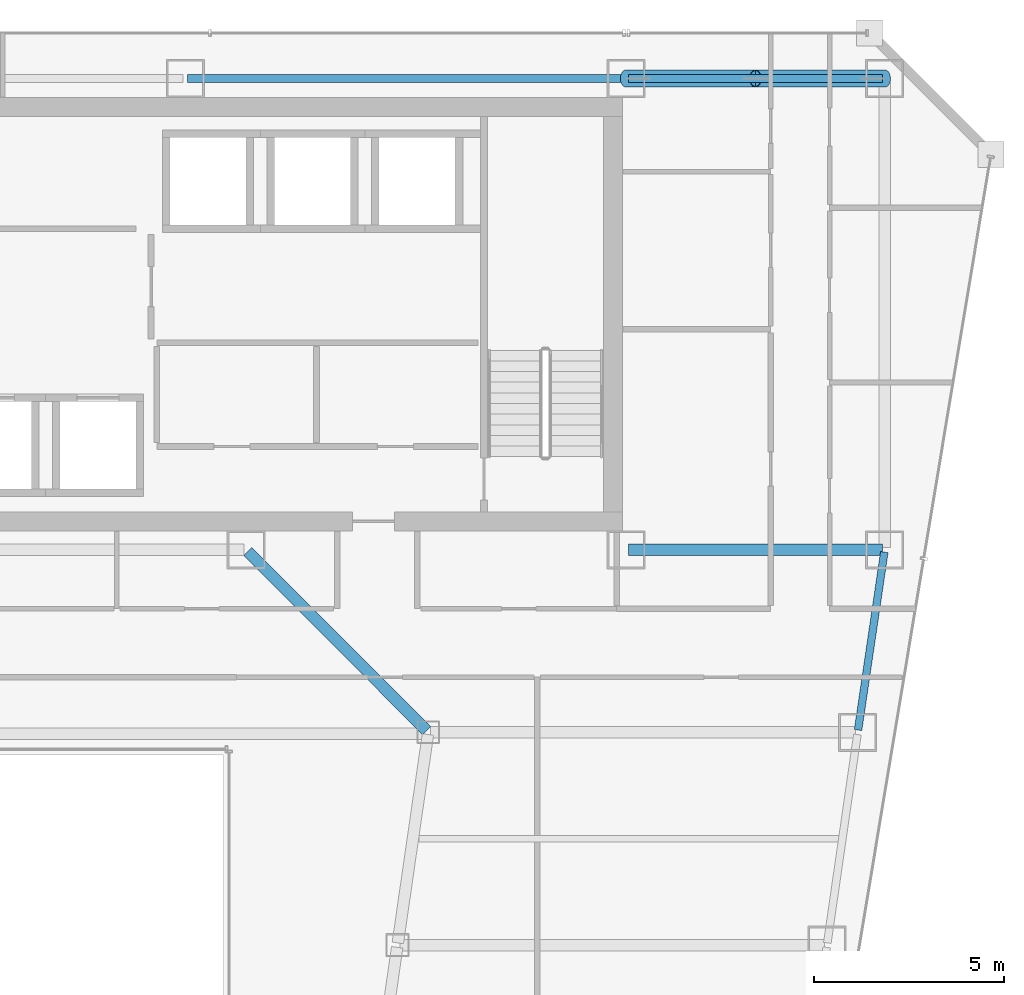
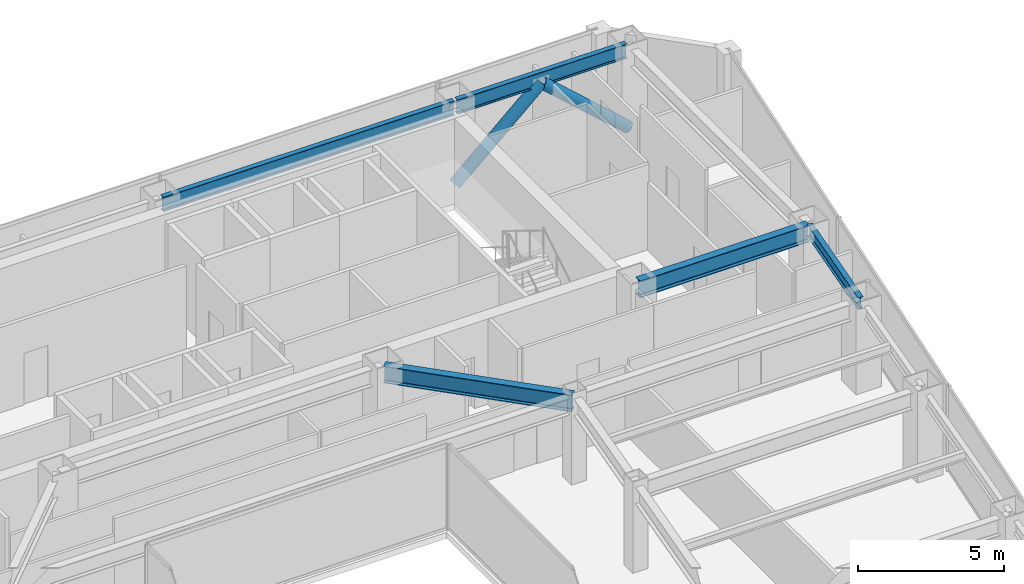
# One storey, part 25 of 37: 5 beams, 2 members.
"""IFC4 building model written with IfcOpenShell, lengths in metres."""

from ifc_helpers import new_model, si_unit, direction, frame, origin, origin_2d, place, context, subcontext, project, spatial, hollow_circle, i_section, extrude, material, material_profile, profile_set, type_object, element, save


model = new_model("IFC4")

# Units and contexts
model_context = context("Model", 3, precision=1e-05, world=origin(), true_north=direction((0.0, 1.0)))
body_context = subcontext(model_context, "Body", "Model", "MODEL_VIEW")
ifc_project = project(units=[si_unit("LENGTHUNIT", "METRE"), si_unit("AREAUNIT", "SQUARE_METRE"), si_unit("VOLUMEUNIT", "CUBIC_METRE"), si_unit("PLANEANGLEUNIT", "RADIAN"), si_unit("MASSUNIT", "GRAM", prefix="KILO")], contexts=[model_context])

# Site, building, storey
site_placement = place(None, origin())
site = spatial("IfcSite", under=ifc_project, at=site_placement, CompositionType="ELEMENT")
building_placement = place(site_placement, origin())
building = spatial("IfcBuilding", under=site, at=building_placement, Name="Saevonmaru Cultural Tower", CompositionType="ELEMENT")
storey_placement = place(building_placement, frame((0.0, 0.0, 160.0)))
storey = spatial("IfcBuildingStorey", under=building, at=storey_placement, Name="L35", CompositionType="ELEMENT", Elevation=160.0)

# Beams
ifc_material_1 = material(Name="Steel SM355", Category="steel")
ifc_material_profile_1 = material_profile(ifc_material_1, i_section(OverallWidth=0.300048828125, OverallDepth=0.699951171875, WebThickness=0.012939453125, FlangeThickness=0.02392578125, FilletRadius=0.02587890625, at=origin_2d()), Name="H-700x300x13x24")
ifc_profile_set_1 = profile_set([ifc_material_profile_1], Name="Steel SM355")
beam_type_1 = type_object("IfcBeamType", Name="BM-G-H700", PredefinedType="BEAM", material=ifc_profile_set_1)
beam_1_placement = place(storey_placement, frame((46.4599609375, 42.39990234375, 3.199951171875), z_axis=(1.0, 0.0, 0.0), x_axis=(0.0, 1.0, 0.0)))
element("IfcBeam", 1, at=beam_1_placement, inside=storey, type_object=beam_type_1, Name="L35 Core South Girder 5", PredefinedType="BEAM", context=body_context, shape_type="SweptSolid", body=[
    extrude(i_section(OverallWidth=0.300048828125, OverallDepth=0.699951171875, WebThickness=0.012939453125, FlangeThickness=0.02392578125, FilletRadius=0.02587890625, at=origin_2d()), origin(), (0.0, 0.0, 1.0), 6.679931640625),
])
beam_2_placement = place(storey_placement, frame((41.149658203125, 37.642578125, 3.199951171875), z_axis=(-0.706538566564, 0.707674539572, 0.0), x_axis=(-0.707674539572, -0.706538566564, 0.0)))
element("IfcBeam", 2, at=beam_2_placement, inside=storey, type_object=beam_type_1, Name="L35 East Atrium Girder 5", PredefinedType="BEAM", context=body_context, shape_type="SweptSolid", body=[
    extrude(i_section(OverallWidth=0.300048828125, OverallDepth=0.699951171875, WebThickness=0.012939453125, FlangeThickness=0.02392578125, FilletRadius=0.02587890625, at=origin_2d()), origin(), (0.0, 0.0, 1.0), 6.662353515625),
])
ifc_material_profile_2 = material_profile(ifc_material_1, i_section(OverallWidth=0.199951171875, OverallDepth=0.5, WebThickness=0.010009765625, FlangeThickness=0.01611328125, FilletRadius=0.02001953125, at=origin_2d()), Name="H-500x200x10x16")
ifc_profile_set_2 = profile_set([ifc_material_profile_2], Name="Steel SM355")
beam_type_2 = type_object("IfcBeamType", Name="BM-SP-H500", PredefinedType="SPANDREL", material=ifc_profile_set_2)
beam_3_placement = place(storey_placement, frame((52.500732421875, 37.659423828125, 3.300048828125), z_axis=(0.145912860028, 0.989297446312, 0.0), x_axis=(-0.989297446312, 0.145912860028, 0.0)))
element("IfcBeam", 3, at=beam_3_placement, inside=storey, type_object=beam_type_2, Name="L35 East Splayed Spandrel 5", PredefinedType="SPANDREL", context=body_context, shape_type="SweptSolid", body=[
    extrude(i_section(OverallWidth=0.199951171875, OverallDepth=0.5, WebThickness=0.010009765625, FlangeThickness=0.01611328125, FilletRadius=0.02001953125, at=origin_2d()), origin(), (0.0, 0.0, 1.0), 4.731689453125),
])
ifc_material_profile_3 = material_profile(ifc_material_1, i_section(OverallWidth=0.199951171875, OverallDepth=0.60009765625, WebThickness=0.010986328125, FlangeThickness=0.01708984375, FilletRadius=0.02197265625, at=origin_2d()), Name="H-600x200x11x17")
ifc_profile_set_3 = profile_set([ifc_material_profile_3], Name="Steel SM355")
beam_type_3 = type_object("IfcBeamType", Name="BM-SP-H600", PredefinedType="SPANDREL", material=ifc_profile_set_3)
beam_4_placement = place(storey_placement, frame((34.860107421875, 54.800048828125, 3.25), z_axis=(1.0, 0.0, 0.0), x_axis=(0.0, 1.0, 0.0)))
element("IfcBeam", 4, at=beam_4_placement, inside=storey, type_object=beam_type_3, Name="L35 North Spine Girder 4", PredefinedType="SPANDREL", context=body_context, shape_type="SweptSolid", body=[
    extrude(i_section(OverallWidth=0.199951171875, OverallDepth=0.60009765625, WebThickness=0.010986328125, FlangeThickness=0.01708984375, FilletRadius=0.02197265625, at=origin_2d()), origin(), (0.0, 0.0, 1.0), 11.47998046875),
])
beam_5_placement = place(storey_placement, frame((46.4599609375, 54.800048828125, 3.25), z_axis=(1.0, 0.0, 0.0), x_axis=(0.0, 1.0, 0.0)))
element("IfcBeam", 5, at=beam_5_placement, inside=storey, type_object=beam_type_3, Name="L35 North Spine Girder 5", PredefinedType="SPANDREL", context=body_context, shape_type="SweptSolid", body=[
    extrude(i_section(OverallWidth=0.199951171875, OverallDepth=0.60009765625, WebThickness=0.010986328125, FlangeThickness=0.01708984375, FilletRadius=0.02197265625, at=origin_2d()), origin(), (0.0, 0.0, 1.0), 6.679931640625),
])

# Members
ifc_material_2 = material(Name="Steel SM420", Category="steel")
ifc_material_profile_4 = material_profile(ifc_material_2, hollow_circle(Radius=0.228515625, WallThickness=0.02001953125, at=origin_2d()), Name="CHS-457.2x20")
ifc_profile_set_4 = profile_set([ifc_material_profile_4], Name="Steel SM420")
member_type = type_object("IfcMemberType", Name="MB-PBR-CHS457", PredefinedType="BRACE", material=ifc_profile_set_4)
for number, where, z_axis, x_axis, name in (
    (6, (46.39990234375, 54.800048828125, 0.02001953125), (0.744390779303, 0.0, 0.66774423823), (0.0, 1.0, 0.0), "L35 Perimeter Braced-Tube Diagonal EN1"),
    (7, (53.199951171875, 54.800048828125, 0.02001953125), (-0.744366945704, 0.0, 0.667770806597), (0.0, -1.0, 0.0), "L35 Perimeter Braced-Tube Diagonal EN2"),
):
    element("IfcMember", number, at=place(storey_placement, frame(where, z_axis=z_axis, x_axis=x_axis)), inside=storey, type_object=member_type, Name=name, PredefinedType="BRACE", context=body_context, shape_type="SweptSolid", body=[
        extrude(hollow_circle(Radius=0.228515625, WallThickness=0.02001953125, at=origin_2d()), origin(), (0.0, 0.0, 1.0), 4.567626953125),
    ])

save(model, "model.ifc")
